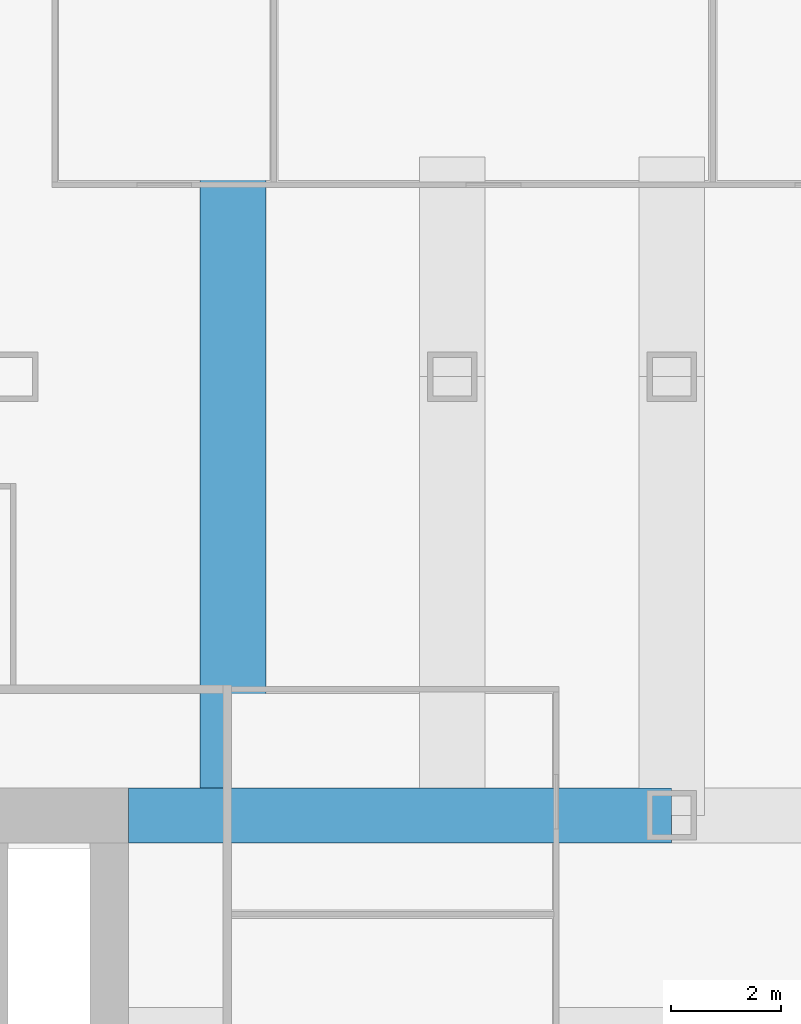
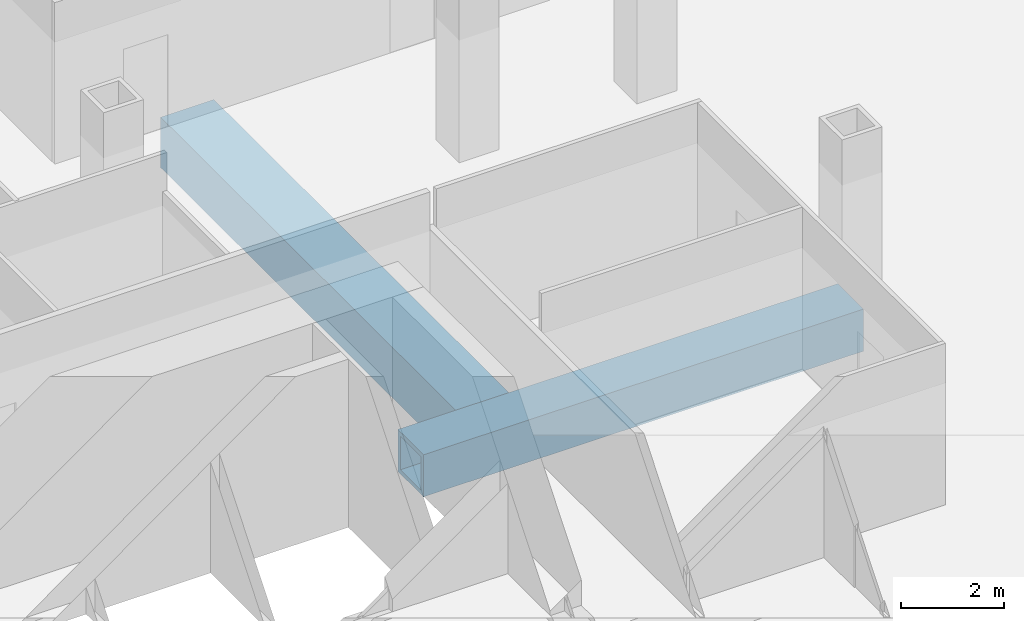
# One storey, part 6 of 14: 2 beams.
"""IFC4 building model written with IfcOpenShell, lengths in metres."""

from ifc_helpers import new_model, si_unit, direction, frame, origin, origin_2d, place, context, subcontext, project, spatial, hollow_rectangle, extrude, material, material_profile, profile_set, type_object, element, save


model = new_model("IFC4")

# Units and contexts
model_context = context("Model", 3, precision=1e-05, world=origin(), true_north=direction((0.0, 1.0)))
body_context = subcontext(model_context, "Body", "Model", "MODEL_VIEW")
ifc_project = project(units=[si_unit("LENGTHUNIT", "METRE"), si_unit("AREAUNIT", "SQUARE_METRE"), si_unit("VOLUMEUNIT", "CUBIC_METRE"), si_unit("PLANEANGLEUNIT", "RADIAN"), si_unit("MASSUNIT", "GRAM", prefix="KILO")], contexts=[model_context])

# Site, building, storey
site_placement = place(None, origin())
site = spatial("IfcSite", under=ifc_project, at=site_placement, CompositionType="ELEMENT")
building_placement = place(site_placement, origin())
building = spatial("IfcBuilding", under=site, at=building_placement, Name="Rimbunsela Tower", CompositionType="ELEMENT")
storey_placement = place(building_placement, frame((0.0, 0.0, 109.39990234375)))
storey = spatial("IfcBuildingStorey", under=building, at=storey_placement, Name="L26", CompositionType="ELEMENT", Elevation=109.39990234375)

# Beams
ifc_material_1 = material(Name="Steel BJ 55 (fy 410 MPa)", Category="steel")
ifc_material_profile_1 = material_profile(ifc_material_1, hollow_rectangle(XDim=1.0, YDim=1.0, WallThickness=0.10009765625, at=origin_2d()), Name="BOX 1000x1000x100")
ifc_profile_set_1 = profile_set([ifc_material_profile_1], Name="Steel BJ 55 (fy 410 MPa)")
beam_type_1 = type_object("IfcBeamType", Name="Beam BOX 1000x1000x100", PredefinedType="BEAM", material=ifc_profile_set_1)
beam_1_placement = place(storey_placement, frame((36.10009765625, 36.0, -0.64990234375), z_axis=(1.0, 0.0, 0.0), x_axis=(0.0, 1.0, 0.0)))
element("IfcBeam", 1, at=beam_1_placement, inside=storey, type_object=beam_type_1, Name="Beam B3 L26", PredefinedType="BEAM", context=body_context, shape_type="SweptSolid", body=[
    extrude(hollow_rectangle(XDim=1.0, YDim=1.0, WallThickness=0.10009765625, at=origin_2d()), origin(), (0.0, 0.0, 1.0), 9.89990234375),
])
ifc_material_2 = material(Name="Steel BJ 55 (fy 410 MPa)", Category="steel")
ifc_material_profile_2 = material_profile(ifc_material_2, hollow_rectangle(XDim=1.199951171875, YDim=1.199951171875, WallThickness=0.10009765625, at=origin_2d()), Name="BOX 1200x1200x100")
ifc_profile_set_2 = profile_set([ifc_material_profile_2], Name="Steel BJ 55 (fy 410 MPa)")
beam_type_2 = type_object("IfcBeamType", Name="Beam BOX 1200x1200x100", PredefinedType="BEAM", material=ifc_profile_set_2)
beam_2_placement = place(storey_placement, frame((38.0, 36.5, -0.75), z_axis=(0.0, 1.0, 0.0), x_axis=(-1.0, 0.0, 0.0)))
element("IfcBeam", 2, at=beam_2_placement, inside=storey, type_object=beam_type_2, Name="Beam B5 L26", PredefinedType="BEAM", context=body_context, shape_type="SweptSolid", body=[
    extrude(hollow_rectangle(XDim=1.199951171875, YDim=1.199951171875, WallThickness=0.10009765625, at=origin_2d()), origin(), (0.0, 0.0, 1.0), 11.5),
])

save(model, "model.ifc")
